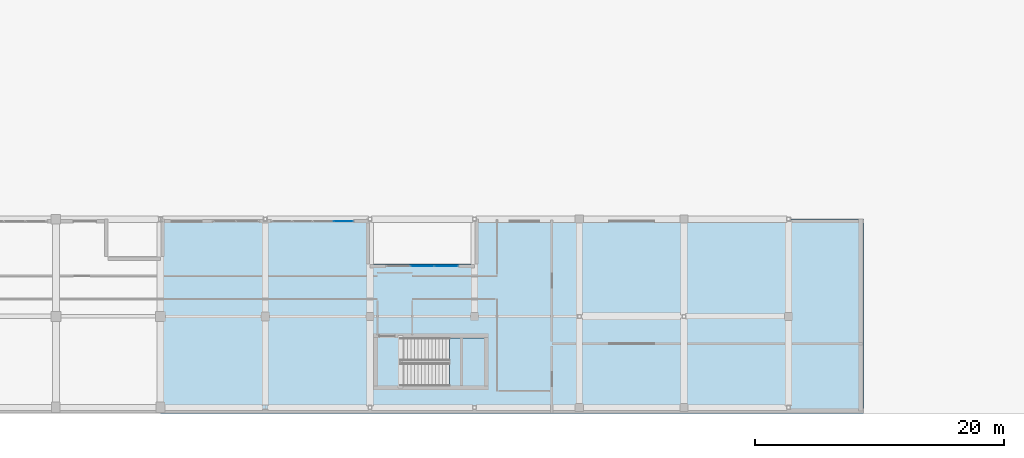
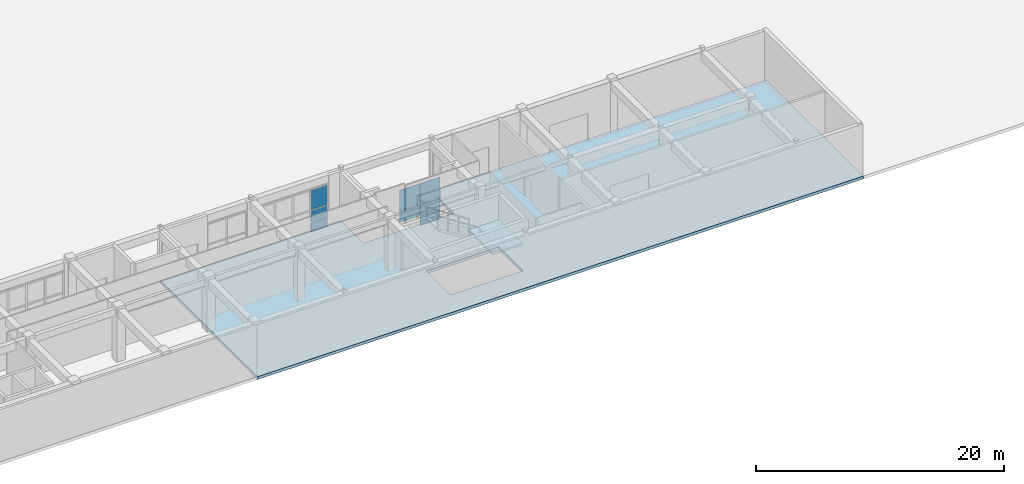
# One storey, part 111 of 148: 8 plates, 2 slabs, 3 elements without a shape of their own.
"""IFC4 building model written with IfcOpenShell, lengths in metres."""

from ifc_helpers import new_model, si_unit, direction, frame, origin, origin_2d, place, context, subcontext, project, spatial, polyline, rectangle, outline, extrude, material, layer, layer_set, type_object, element, aggregate, save


model = new_model("IFC4")

# Units and contexts
model_context = context("Model", 3, precision=1e-05, world=origin(), true_north=direction((0.0, 1.0)))
body_context = subcontext(model_context, "Body", "Model", "MODEL_VIEW")
ifc_project = project(units=[si_unit("LENGTHUNIT", "METRE"), si_unit("AREAUNIT", "SQUARE_METRE"), si_unit("VOLUMEUNIT", "CUBIC_METRE"), si_unit("PLANEANGLEUNIT", "RADIAN"), si_unit("MASSUNIT", "GRAM", prefix="KILO")], contexts=[model_context])

# Site, building, storey
site_placement = place(None, origin())
site = spatial("IfcSite", under=ifc_project, at=site_placement, CompositionType="ELEMENT")
building_placement = place(site_placement, origin())
building = spatial("IfcBuilding", under=site, at=building_placement, Name="Quendrovan Civic Courthouse", CompositionType="ELEMENT")
storey_placement = place(building_placement, origin())
storey = spatial("IfcBuildingStorey", under=building, at=storey_placement, Name="L01", CompositionType="ELEMENT", Elevation=0.0)

# Curtain wall, plates
ifc_material_1 = material(Name="Bronze anodised aluminium and low-E glass", Category="aluminium")
ifc_layer_1 = layer(ifc_material_1, 0.179931640625, Name="Bronze anodised aluminium and low-E glass")
ifc_layer_set_1 = layer_set([ifc_layer_1], Name="Bronze anodised aluminium and low-E glass")
curtain_wall_type_1 = type_object("IfcCurtainWallType", Name="CW-U66x42", PredefinedType="USERDEFINED", material=ifc_layer_set_1)
curtain_wall_1_placement = place(storey_placement, origin())
curtain_wall_1 = element("IfcCurtainWall", 1, at=curtain_wall_1_placement, inside=storey, type_object=curtain_wall_type_1, Name="L01 Unitised Hurricane Curtain Wall CW-010", ObjectType="UNITISED CURTAIN WALL", PredefinedType="USERDEFINED")
ifc_material_2 = material(Name="Laminated hurricane-impact low-E glass", Category="glass")
ifc_layer_2 = layer(ifc_material_2, 0.035888671875, Name="Laminated hurricane-impact low-E glass")
ifc_layer_set_2 = layer_set([ifc_layer_2], Name="Laminated hurricane-impact low-E glass")
plate_type_1 = type_object("IfcPlateType", Name="CW-PNL-3", PredefinedType="CURTAIN_PANEL", material=ifc_layer_set_2)
plate_1_placement = place(storey_placement, frame((73.45751953125, 15.43505859375, 0.06982421875), z_axis=(0.0, 0.0, 1.0), x_axis=(1.0, 0.0, 0.0)))
plate_1 = element("IfcPlate", 2, at=plate_1_placement, type_object=plate_type_1, Name="CW-010 panel 4.1", PredefinedType="CURTAIN_PANEL", context=body_context, shape_type="SweptSolid", body=[
    extrude(rectangle(XDim=1.544921875, YDim=0.035888671875, at=origin_2d()), origin(), (0.0, 0.0, 1.0), 0.844970703125),
])
plate_2_placement = place(storey_placement, frame((73.45751953125, 15.43505859375, 0.985107421875), z_axis=(0.0, 0.0, 1.0), x_axis=(1.0, 0.0, 0.0)))
plate_2 = element("IfcPlate", 3, at=plate_2_placement, type_object=plate_type_1, Name="CW-010 panel 4.2", PredefinedType="CURTAIN_PANEL", context=body_context, shape_type="SweptSolid", body=[
    extrude(rectangle(XDim=1.544921875, YDim=0.035888671875, at=origin_2d()), origin(), (0.0, 0.0, 1.0), 1.1298828125),
])
plate_3_placement = place(storey_placement, frame((73.45751953125, 15.43505859375, 2.18505859375), z_axis=(0.0, 0.0, 1.0), x_axis=(1.0, 0.0, 0.0)))
plate_3 = element("IfcPlate", 4, at=plate_3_placement, type_object=plate_type_1, Name="CW-010 panel 4.3", PredefinedType="CURTAIN_PANEL", context=body_context, shape_type="SweptSolid", body=[
    extrude(rectangle(XDim=1.544921875, YDim=0.035888671875, at=origin_2d()), origin(), (0.0, 0.0, 1.0), 1.945068359375),
])
aggregate(curtain_wall_1, [plate_1, plate_2, plate_3])

ifc_layer_3 = layer(ifc_material_1, 0.179931640625, Name="Bronze anodised aluminium and low-E glass")
ifc_layer_set_3 = layer_set([ifc_layer_3], Name="Bronze anodised aluminium and low-E glass")
curtain_wall_type_2 = type_object("IfcCurtainWallType", Name="CW-U58x42", PredefinedType="USERDEFINED", material=ifc_layer_set_3)
curtain_wall_2_placement = place(storey_placement, origin())
curtain_wall_2 = element("IfcCurtainWall", 5, at=curtain_wall_2_placement, inside=storey, type_object=curtain_wall_type_2, Name="L01 Unitised Hurricane Curtain Wall CW-011", ObjectType="UNITISED CURTAIN WALL", PredefinedType="USERDEFINED")
ifc_layer_4 = layer(ifc_material_2, 0.0419921875, Name="Laminated hurricane-impact low-E glass")
ifc_layer_set_4 = layer_set([ifc_layer_4], Name="Laminated hurricane-impact low-E glass")
plate_type_2 = type_object("IfcPlateType", Name="CW-PNL-4", PredefinedType="CURTAIN_PANEL", material=ifc_layer_set_4)
plate_4_placement = place(storey_placement, frame((79.800048828125, 11.8349609375, 0.982421875), z_axis=(0.0, 0.0, 1.0), x_axis=(1.0, 0.0, 0.0)))
plate_4 = element("IfcPlate", 6, at=plate_4_placement, type_object=plate_type_2, Name="CW-011 panel 2.2", PredefinedType="CURTAIN_PANEL", context=body_context, shape_type="SweptSolid", body=[
    extrude(rectangle(XDim=1.868408203125, YDim=0.0419921875, at=origin_2d()), origin(), (0.0, 0.0, 1.0), 1.135009765625),
])
plate_5_placement = place(storey_placement, frame((79.800048828125, 11.8349609375, 2.1826171875), z_axis=(0.0, 0.0, 1.0), x_axis=(1.0, 0.0, 0.0)))
plate_5 = element("IfcPlate", 7, at=plate_5_placement, type_object=plate_type_2, Name="CW-011 panel 2.3", PredefinedType="CURTAIN_PANEL", context=body_context, shape_type="SweptSolid", body=[
    extrude(rectangle(XDim=1.868408203125, YDim=0.0419921875, at=origin_2d()), origin(), (0.0, 0.0, 1.0), 1.952392578125),
])
plate_6_placement = place(storey_placement, frame((81.717041015625, 11.8349609375, 0.06494140625), z_axis=(0.0, 0.0, 1.0), x_axis=(1.0, 0.0, 0.0)))
plate_6 = element("IfcPlate", 8, at=plate_6_placement, type_object=plate_type_2, Name="CW-011 panel 3.1", PredefinedType="CURTAIN_PANEL", context=body_context, shape_type="SweptSolid", body=[
    extrude(rectangle(XDim=1.8359375, YDim=0.0419921875, at=origin_2d()), origin(), (0.0, 0.0, 1.0), 0.8525390625),
])
plate_7_placement = place(storey_placement, frame((81.717041015625, 11.8349609375, 0.982421875), z_axis=(0.0, 0.0, 1.0), x_axis=(1.0, 0.0, 0.0)))
plate_7 = element("IfcPlate", 9, at=plate_7_placement, type_object=plate_type_2, Name="CW-011 panel 3.2", PredefinedType="CURTAIN_PANEL", context=body_context, shape_type="SweptSolid", body=[
    extrude(rectangle(XDim=1.8359375, YDim=0.0419921875, at=origin_2d()), origin(), (0.0, 0.0, 1.0), 1.135009765625),
])
plate_8_placement = place(storey_placement, frame((81.717041015625, 11.8349609375, 2.1826171875), z_axis=(0.0, 0.0, 1.0), x_axis=(1.0, 0.0, 0.0)))
plate_8 = element("IfcPlate", 10, at=plate_8_placement, type_object=plate_type_2, Name="CW-011 panel 3.3", PredefinedType="CURTAIN_PANEL", context=body_context, shape_type="SweptSolid", body=[
    extrude(rectangle(XDim=1.8359375, YDim=0.0419921875, at=origin_2d()), origin(), (0.0, 0.0, 1.0), 1.952392578125),
])
aggregate(curtain_wall_2, [plate_4, plate_5, plate_6, plate_7, plate_8])

# Slab
ifc_material_3 = material(Name="Post-tensioned concrete C50/60", Category="concrete")
ifc_layer_5 = layer(ifc_material_3, 0.280029296875, Name="Post-tensioned concrete C50/60")
ifc_layer_set_5 = layer_set([ifc_layer_5], Name="Post-tensioned concrete C50/60")
slab_type_1 = type_object("IfcSlabType", Name="SLB-PT-280", PredefinedType="FLOOR", material=ifc_layer_set_5)
slab_1_placement = place(storey_placement, frame((0.0, 0.0, -0.280029296875)))
element("IfcSlab", 11, at=slab_1_placement, inside=storey, type_object=slab_type_1, Name="L01 Structural Floor Slab V5E", PredefinedType="FLOOR", context=body_context, shape_type="SweptSolid", body=[
    extrude(outline(polyline([(115.199951171875, 0.0), (58.800048828125, 0.0), (58.800048828125, 15.60009765625), (75.60009765625, 15.60009765625), (75.60009765625, 12.0), (84.0, 12.0), (84.0, 15.60009765625), (115.199951171875, 15.60009765625), (115.199951171875, 0.0)]), holes=[polyline([(84.800048828125, 2.199951171875), (84.800048828125, 6.080078125), (78.050048828125, 6.080078125), (78.050048828125, 2.199951171875), (84.800048828125, 2.199951171875)])]), origin(), (0.0, 0.0, 1.0), 0.280029296875),
])

# Stair, slab
ifc_material_4 = material(Name="Precast concrete C45/55", Category="concrete")
stair_type = type_object("IfcStairType", Name="STR-FEAT-5400", PredefinedType="HALF_TURN_STAIR", material=ifc_material_4)
stair_placement = place(storey_placement, origin())
stair = element("IfcStair", 12, at=stair_placement, inside=storey, type_object=stair_type, Name="L01 South-East Registry and Custody Exit Stair 7", PredefinedType="HALF_TURN_STAIR")
ifc_material_5 = material(Name="Concrete C40/50", Category="concrete")
ifc_layer_6 = layer(ifc_material_5, 0.199951171875, Name="Concrete C40/50")
ifc_layer_set_6 = layer_set([ifc_layer_6], Name="Concrete C40/50")
slab_type_2 = type_object("IfcSlabType", Name="SLB-STAIR-LND200", PredefinedType="LANDING", material=ifc_layer_set_6)
slab_2_placement = place(storey_placement, frame((0.0, 0.0, 2.5)))
slab_2 = element("IfcSlab", 13, at=slab_2_placement, type_object=slab_type_2, Name="ST7 landing 1", PredefinedType="LANDING", context=body_context, shape_type="SweptSolid", body=[
    extrude(outline(polyline([(81.969970703125, 2.199951171875), (84.800048828125, 2.199951171875), (84.800048828125, 6.080078125), (81.969970703125, 6.080078125), (81.969970703125, 2.199951171875)])), origin(), (0.0, 0.0, 1.0), 0.199951171875),
])
aggregate(stair, [slab_2])

save(model, "model.ifc")
